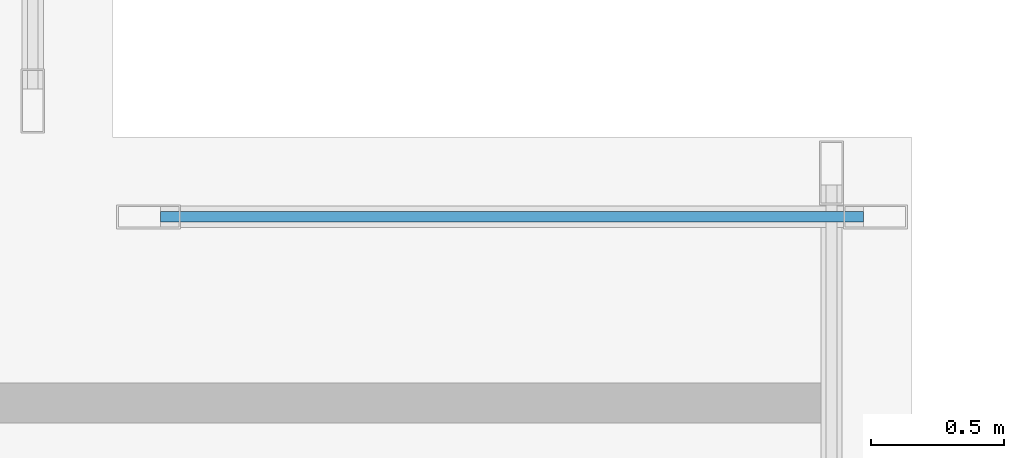
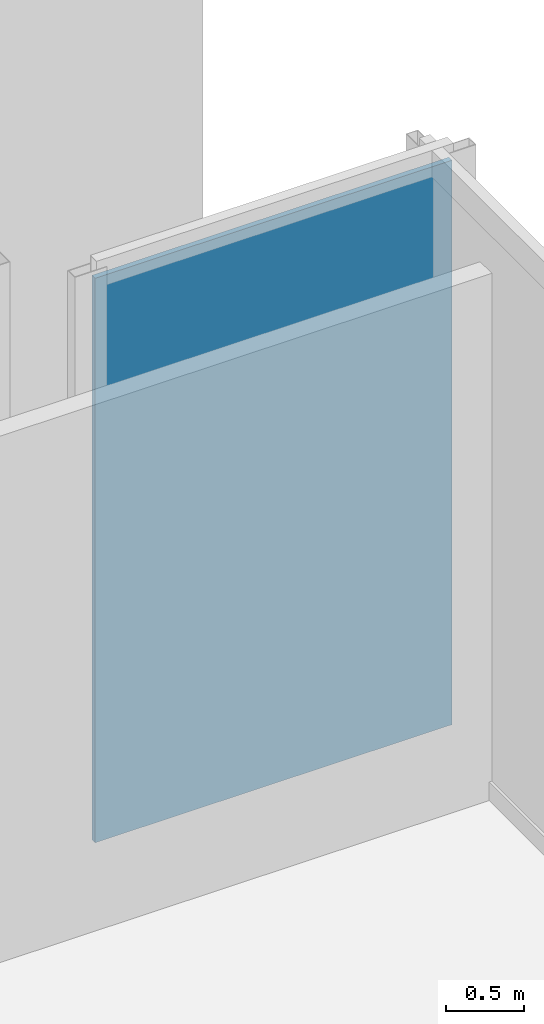
# One storey, part 16 of 25: 1 plate, 1 element without a shape of its own.
"""IFC4 building model written with IfcOpenShell, lengths in metres."""

from ifc_helpers import new_model, si_unit, direction, frame, origin, origin_2d, place, context, subcontext, project, spatial, rectangle, extrude, material, layer, layer_set, type_object, element, aggregate, save


model = new_model("IFC4")

# Units and contexts
model_context = context("Model", 3, precision=1e-05, world=origin(), true_north=direction((0.0, 1.0)))
body_context = subcontext(model_context, "Body", "Model", "MODEL_VIEW")
ifc_project = project(units=[si_unit("LENGTHUNIT", "METRE"), si_unit("AREAUNIT", "SQUARE_METRE"), si_unit("VOLUMEUNIT", "CUBIC_METRE"), si_unit("PLANEANGLEUNIT", "RADIAN"), si_unit("MASSUNIT", "GRAM", prefix="KILO"), si_unit("THERMODYNAMICTEMPERATUREUNIT", "KELVIN"), si_unit("POWERUNIT", "WATT")], contexts=[model_context])

# Site, building, storey
site_placement = place(None, origin())
site = spatial("IfcSite", under=ifc_project, at=site_placement, CompositionType="ELEMENT")
building_placement = place(site_placement, origin())
building = spatial("IfcBuilding", under=site, at=building_placement, Name="Svarakhadi Broadcast Tower", CompositionType="ELEMENT")
storey_placement = place(building_placement, frame((0.0, 0.0, 110.85009765625)))
storey = spatial("IfcBuildingStorey", under=building, at=storey_placement, Name="L26", CompositionType="ELEMENT", Elevation=110.85009765625)

# Curtain wall, plate
ifc_material_1 = material(Name="Anodised Bronze Aluminium AA 6063-T6", Category="aluminium")
ifc_layer_1 = layer(ifc_material_1, 0.239990234375)
ifc_layer_set_1 = layer_set([ifc_layer_1], Name="Anodised Bronze Aluminium AA 6063-T6")
curtain_wall_type = type_object("IfcCurtainWallType", Name="CW_Sys_06", PredefinedType="NOTDEFINED", material=ifc_layer_set_1)
curtain_wall_placement = place(storey_placement, origin())
curtain_wall = element("IfcCurtainWall", 1, at=curtain_wall_placement, inside=storey, type_object=curtain_wall_type, Name="L26 Unitised Facade Curtain Wall 08", PredefinedType="NOTDEFINED")
ifc_material_2 = material(Name="Double Low-E Laminated Acoustic Glass IGU 36 mm", Category="glass")
ifc_layer_2 = layer(ifc_material_2, 0.0400390625)
ifc_layer_set_2 = layer_set([ifc_layer_2], Name="Double Low-E Laminated Acoustic Glass IGU 36 mm")
plate_type = type_object("IfcPlateType", Name="CW_Sys_06_Pnl", PredefinedType="CURTAIN_PANEL", material=ifc_layer_set_2)
plate_placement = place(storey_placement, frame((22.5, 38.699951171875, 0.079833984375), z_axis=(0.0, 0.0, 1.0), x_axis=(1.0, 0.0, 0.0)))
plate = element("IfcPlate", 2, at=plate_placement, type_object=plate_type, Name="CW-06 panel 1.1", PredefinedType="CURTAIN_PANEL", context=body_context, shape_type="SweptSolid", body=[
    extrude(rectangle(XDim=2.639892578125, YDim=0.0400390625, at=origin_2d()), origin(), (0.0, 0.0, 1.0), 4.4150390625),
])
aggregate(curtain_wall, [plate])

save(model, "model.ifc")
